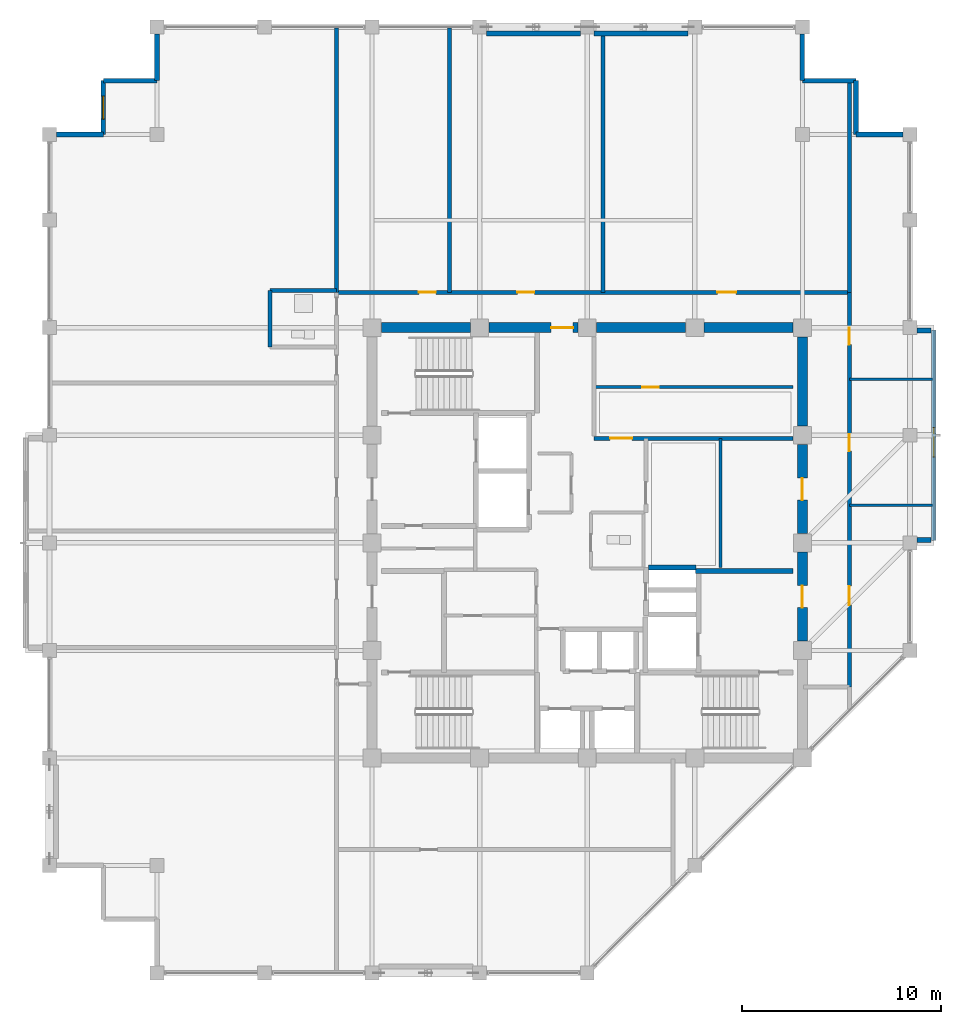
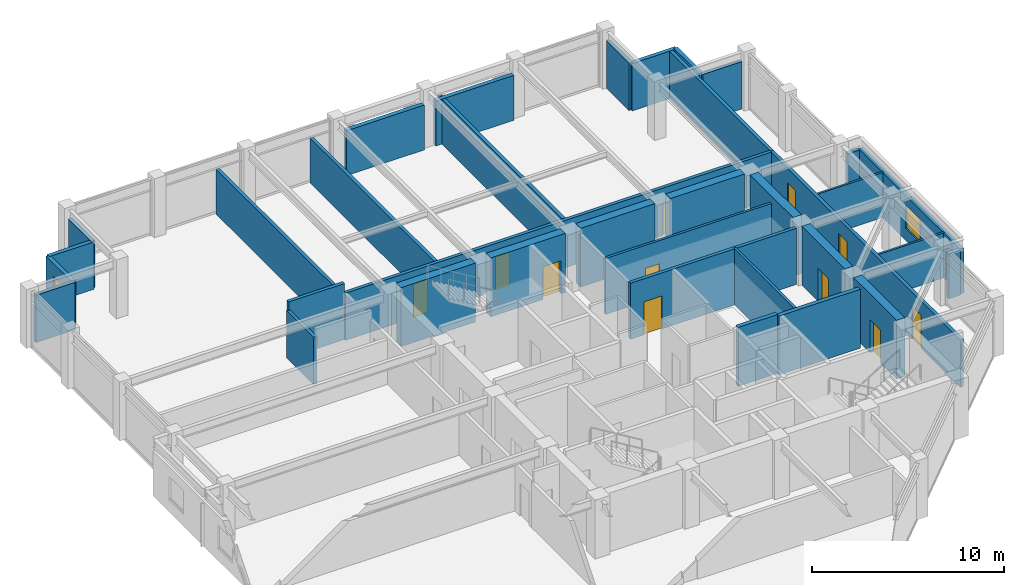
# One storey, part 25 of 29: 35 walls, 11 doors, 2 windows, 13 openings.
"""IFC4 building model written with IfcOpenShell, lengths in metres."""

from ifc_helpers import new_model, si_unit, direction, frame, frame_2d, origin, place, context, subcontext, project, spatial, rectangle, extrude, material, layer, layer_set, type_object, element, fill, save


model = new_model("IFC4")

# Units and contexts
model_context = context("Model", 3, precision=1e-05, world=origin(), true_north=direction((0.0, 1.0)))
body_context = subcontext(model_context, "Body", "Model", "MODEL_VIEW")
ifc_project = project(units=[si_unit("LENGTHUNIT", "METRE"), si_unit("AREAUNIT", "SQUARE_METRE"), si_unit("VOLUMEUNIT", "CUBIC_METRE"), si_unit("PLANEANGLEUNIT", "RADIAN"), si_unit("MASSUNIT", "GRAM", prefix="KILO")], contexts=[model_context])

# Site, building, storey
site_placement = place(None, origin())
site = spatial("IfcSite", under=ifc_project, at=site_placement, CompositionType="ELEMENT")
building_placement = place(site_placement, origin())
building = spatial("IfcBuilding", under=site, at=building_placement, Name="Surkhivell Harbour Commons", CompositionType="ELEMENT")
storey_placement = place(building_placement, frame((0.0, 0.0, 273.75)))
storey = spatial("IfcBuildingStorey", under=building, at=storey_placement, Name="L71", CompositionType="ELEMENT", Elevation=273.75)

# Wall
ifc_material_1 = material(Name="Concrete C50/60", Category="concrete")
ifc_layer_1 = layer(ifc_material_1, 0.5)
ifc_layer_set_1 = layer_set([ifc_layer_1], Name="Concrete C50/60")
wall_type_1 = type_object("IfcWallType", Name="WAL-CORE-500", PredefinedType="SHEAR", material=ifc_layer_set_1)
wall_1_placement = place(storey_placement, frame((-10.340087890625, 10.800048828125, 0.0), z_axis=(0.0, 0.0, 1.0), x_axis=(1.0, 0.0, 0.0)))
element("IfcWall", 1, at=wall_1_placement, inside=storey, type_object=wall_type_1, Name="L71 Core Shear Wall North 1", PredefinedType="SHEAR", context=body_context, shape_type="SweptSolid", body=[
    extrude(rectangle(XDim=4.47998046875, YDim=0.5, at=frame_2d((2.239990234375, 0.0))), origin(), (0.0, 0.0, 1.0), 3.75),
])

# Wall, opening, door
wall_2_placement = place(storey_placement, frame((-4.93994140625, 10.800048828125, 0.0), z_axis=(0.0, 0.0, 1.0), x_axis=(1.0, 0.0, 0.0)))
wall_2 = element("IfcWall", 2, at=wall_2_placement, inside=storey, type_object=wall_type_1, Name="L71 Core Shear Wall North 2", PredefinedType="SHEAR", context=body_context, shape_type="SweptSolid", body=[
    extrude(rectangle(XDim=4.47998046875, YDim=0.5, at=frame_2d((2.239990234375, 0.0))), origin(), (0.0, 0.0, 1.0), 3.75),
])
opening_1_placement = place(wall_2_placement, frame((3.1298828125, 0.0, 0.0)))
opening_1 = element("IfcOpeningElement", 3, at=opening_1_placement, cuts=wall_2, Name="Opening ID-2", PredefinedType="OPENING", context=body_context, shape_type="SweptSolid", body=[
    extrude(rectangle(XDim=1.10009765625, YDim=2.10009765625, at=frame_2d((0.550048828125, 1.050048828125))), frame((0.0, 0.260009765625, 0.0), z_axis=(0.0, -1.0, 0.0), x_axis=(1.0, 0.0, 0.0)), (0.0, 0.0, 1.0), 0.52001953125),
])
ifc_material_2 = material(Name="Hardwood-veneered fire-rated door leaf", Category="wood")
door_type_1 = type_object("IfcDoorType", Name="DOR-FD60-1100", OperationType="NOTDEFINED", PredefinedType="DOOR", material=ifc_material_2)
door_1_placement = place(opening_1_placement, origin())
door_1 = element("IfcDoor", 4, at=door_1_placement, inside=storey, type_object=door_type_1, Name="L71 Central Core Lift Hall North Corridor Door", OperationType="SINGLE_SWING_LEFT", OverallHeight=2.10009765625, OverallWidth=1.10009765625, PredefinedType="DOOR", context=body_context, shape_type="SweptSolid", body=[
    extrude(rectangle(XDim=1.10009765625, YDim=2.10009765625, at=frame_2d((0.550048828125, 1.050048828125))), frame((0.0, 0.02490234375, 0.0), z_axis=(0.0, -1.0, 0.0), x_axis=(1.0, 0.0, 0.0)), (0.0, 0.0, 1.0), 0.050048828125),
])
fill(opening_1, door_1)

wall_3_placement = place(storey_placement, frame((10.800048828125, -4.93994140625, 0.0), z_axis=(0.0, 0.0, 1.0), x_axis=(0.0, 1.0, 0.0)))
wall_3 = element("IfcWall", 5, at=wall_3_placement, inside=storey, type_object=wall_type_1, Name="L71 Core Shear Wall East 2", PredefinedType="SHEAR", context=body_context, shape_type="SweptSolid", body=[
    extrude(rectangle(XDim=4.47998046875, YDim=0.5, at=frame_2d((2.239990234375, 0.0))), origin(), (0.0, 0.0, 1.0), 3.75),
])
opening_2_placement = place(wall_3_placement, frame((1.68994140625, 0.0, 0.0)))
opening_2 = element("IfcOpeningElement", 6, at=opening_2_placement, cuts=wall_3, Name="Opening ID-1", PredefinedType="OPENING", context=body_context, shape_type="SweptSolid", body=[
    extrude(rectangle(XDim=1.10009765625, YDim=2.10009765625, at=frame_2d((0.550048828125, 1.050048828125))), frame((0.0, 0.260009765625, 0.0), z_axis=(0.0, -1.0, 0.0), x_axis=(1.0, 0.0, 0.0)), (0.0, 0.0, 1.0), 0.52001953125),
])
door_type_2 = type_object("IfcDoorType", Name="DOR-FD120-1100", OperationType="NOTDEFINED", PredefinedType="DOOR", material=ifc_material_2)
door_2_placement = place(opening_2_placement, origin())
door_2 = element("IfcDoor", 7, at=door_2_placement, inside=storey, type_object=door_type_2, Name="L71 Firefighting Lobby 2 Corridor Door", OperationType="SINGLE_SWING_RIGHT", OverallHeight=2.10009765625, OverallWidth=1.10009765625, PredefinedType="DOOR", context=body_context, shape_type="SweptSolid", body=[
    extrude(rectangle(XDim=1.10009765625, YDim=2.10009765625, at=frame_2d((0.550048828125, 1.050048828125))), frame((0.0, 0.02490234375, 0.0), z_axis=(0.0, -1.0, 0.0), x_axis=(1.0, 0.0, 0.0)), (0.0, 0.0, 1.0), 0.050048828125),
])
fill(opening_2, door_2)

# Wall
wall_4_placement = place(storey_placement, frame((0.4599609375, 10.800048828125, 0.0), z_axis=(0.0, 0.0, 1.0), x_axis=(1.0, 0.0, 0.0)))
element("IfcWall", 8, at=wall_4_placement, inside=storey, type_object=wall_type_1, Name="L71 Core Shear Wall North 3", PredefinedType="SHEAR", context=body_context, shape_type="SweptSolid", body=[
    extrude(rectangle(XDim=4.47998046875, YDim=0.5, at=frame_2d((2.239990234375, 0.0))), origin(), (0.0, 0.0, 1.0), 3.75),
])

# Wall, opening, door
wall_5_placement = place(storey_placement, frame((10.800048828125, 0.4599609375, 0.0), z_axis=(0.0, 0.0, 1.0), x_axis=(0.0, 1.0, 0.0)))
wall_5 = element("IfcWall", 9, at=wall_5_placement, inside=storey, type_object=wall_type_1, Name="L71 Core Shear Wall East 3", PredefinedType="SHEAR", context=body_context, shape_type="SweptSolid", body=[
    extrude(rectangle(XDim=4.47998046875, YDim=0.5, at=frame_2d((2.239990234375, 0.0))), origin(), (0.0, 0.0, 1.0), 3.75),
])
opening_3_placement = place(wall_5_placement, frame((1.68994140625, 0.0, 0.0)))
opening_3 = element("IfcOpeningElement", 10, at=opening_3_placement, cuts=wall_5, Name="Opening ID-2", PredefinedType="OPENING", context=body_context, shape_type="SweptSolid", body=[
    extrude(rectangle(XDim=1.10009765625, YDim=2.10009765625, at=frame_2d((0.550048828125, 1.050048828125))), frame((0.0, 0.260009765625, 0.0), z_axis=(0.0, -1.0, 0.0), x_axis=(1.0, 0.0, 0.0)), (0.0, 0.0, 1.0), 0.52001953125),
])
door_3_placement = place(opening_3_placement, origin())
door_3 = element("IfcDoor", 11, at=door_3_placement, inside=storey, type_object=door_type_1, Name="L71 Core Seminar East Door", OperationType="SINGLE_SWING_RIGHT", OverallHeight=2.10009765625, OverallWidth=1.10009765625, PredefinedType="DOOR", context=body_context, shape_type="SweptSolid", body=[
    extrude(rectangle(XDim=1.10009765625, YDim=2.10009765625, at=frame_2d((0.550048828125, 1.050048828125))), frame((0.0, 0.02490234375, 0.0), z_axis=(0.0, -1.0, 0.0), x_axis=(1.0, 0.0, 0.0)), (0.0, 0.0, 1.0), 0.050048828125),
])
fill(opening_3, door_3)

# Walls
for number, where, z_axis, x_axis, name in (
    (12, (5.860107421875, 10.800048828125, 0.0), (0.0, 0.0, 1.0), (1.0, 0.0, 0.0), "L71 Core Shear Wall North 4"),
    (13, (10.800048828125, 5.860107421875, 0.0), (0.0, 0.0, 1.0), (0.0, 1.0, 0.0), "L71 Core Shear Wall East 4"),
):
    element("IfcWall", number, at=place(storey_placement, frame(where, z_axis=z_axis, x_axis=x_axis)), inside=storey, type_object=wall_type_1, Name=name, PredefinedType="SHEAR", context=body_context, shape_type="SweptSolid", body=[
        extrude(rectangle(XDim=4.47998046875, YDim=0.5, at=frame_2d((2.239990234375, 0.0))), origin(), (0.0, 0.0, 1.0), 3.75),
    ])
ifc_material_3 = material(Name="Pale-metal insulated precast concrete C45/55", Category="concrete")
ifc_layer_2 = layer(ifc_material_3, 0.260009765625)
ifc_layer_set_2 = layer_set([ifc_layer_2], Name="Pale-metal insulated precast concrete C45/55")
wall_type_2 = type_object("IfcWallType", Name="WAL-EXT-MTL260", PredefinedType="STANDARD", material=ifc_layer_set_2)
for number, where, z_axis, x_axis, name in (
    (14, (-0.347900390625, 25.56494140625, 0.0), (0.0, 0.0, 1.0), (-1.0, 0.0, 0.0), "L71 Braced-Bay Insulated Spandrel Backing N"),
    (15, (5.052001953125, 25.56494140625, 0.0), (0.0, 0.0, 1.0), (-1.0, 0.0, 0.0), "L71 Braced-Bay Insulated Spandrel Backing N2"),
):
    element("IfcWall", number, at=place(storey_placement, frame(where, z_axis=z_axis, x_axis=x_axis)), inside=storey, type_object=wall_type_2, Name=name, PredefinedType="STANDARD", context=body_context, shape_type="SweptSolid", body=[
        extrude(rectangle(XDim=4.7041015625, YDim=0.260009765625, at=frame_2d((2.35205078125, 0.0))), origin(), (0.0, 0.0, 1.0), 2.85693359375),
    ])

# Wall, opening, window
ifc_material_4 = material(Name="Bronze-ochre cassette precast concrete C45/55", Category="concrete")
ifc_layer_3 = layer(ifc_material_4, 0.239990234375)
ifc_layer_set_3 = layer_set([ifc_layer_3], Name="Bronze-ochre cassette precast concrete C45/55")
wall_type_3 = type_object("IfcWallType", Name="WAL-EXT-OCH240", PredefinedType="STANDARD", material=ifc_layer_set_3)
wall_6_placement = place(storey_placement, frame((17.39990234375, 0.1201171875, 0.0), z_axis=(0.0, 0.0, 1.0), x_axis=(0.0, 1.0, 0.0)))
wall_6 = element("IfcWall", 16, at=wall_6_placement, inside=storey, type_object=wall_type_3, Name="L71 Coloured Box Front Wall 01", PredefinedType="STANDARD", context=body_context, shape_type="SweptSolid", body=[
    extrude(rectangle(XDim=10.559814453125, YDim=0.239990234375, at=frame_2d((5.27978515625, 0.0))), origin(), (0.0, 0.0, 1.0), 2.85693359375),
])
opening_4_placement = place(wall_6_placement, frame((4.179931640625, 0.0, 0.75)))
opening_4 = element("IfcOpeningElement", 17, at=opening_4_placement, cuts=wall_6, Name="Opening WN-13", PredefinedType="OPENING", context=body_context, shape_type="SweptSolid", body=[
    extrude(rectangle(XDim=1.5, YDim=1.5, at=frame_2d((0.75, 0.75))), frame((0.0, 0.1298828125, 0.0), z_axis=(0.0, -1.0, 0.0), x_axis=(1.0, 0.0, 0.0)), (0.0, 0.0, 1.0), 0.260009765625),
])
ifc_material_5 = material(Name="Thermal-break aluminium frame and double low-E glazing", Category="aluminium")
window_type_1 = type_object("IfcWindowType", Name="WIN-BOX-1500x1500", PartitioningType="SINGLE_PANEL", PredefinedType="WINDOW", material=ifc_material_5)
window_1_placement = place(opening_4_placement, origin())
window_1 = element("IfcWindow", 18, at=window_1_placement, inside=storey, type_object=window_type_1, Name="L71 Coloured Box Square Window 01-1", OverallHeight=1.5, OverallWidth=1.5, PartitioningType="SINGLE_PANEL", PredefinedType="WINDOW", context=body_context, shape_type="SweptSolid", body=[
    extrude(rectangle(XDim=1.5, YDim=1.5, at=frame_2d((0.75, 0.75))), frame((0.0, 0.030029296875, 0.0), z_axis=(0.0, -1.0, 0.0), x_axis=(1.0, 0.0, 0.0)), (0.0, 0.0, 1.0), 0.06005859375),
])
fill(opening_4, window_1)

# Walls
for number, where, z_axis, x_axis, name in (
    (19, (16.553955078125, 0.139892578125, 0.0), (0.0, 0.0, 1.0), (1.0, 0.0, 0.0), "L71 Coloured Box Return Wall 01S"),
    (20, (16.553955078125, 10.659912109375, 0.0), (0.0, 0.0, 1.0), (1.0, 0.0, 0.0), "L71 Coloured Box Return Wall 01N"),
):
    element("IfcWall", number, at=place(storey_placement, frame(where, z_axis=z_axis, x_axis=x_axis)), inside=storey, type_object=wall_type_3, Name=name, PredefinedType="STANDARD", context=body_context, shape_type="SweptSolid", body=[
        extrude(rectangle(XDim=0.7060546875, YDim=0.239990234375, at=frame_2d((0.35302734375, 0.0))), origin(), (0.0, 0.0, 1.0), 2.85693359375),
    ])
wall_7_placement = place(storey_placement, frame((15.85205078125, 20.5, 0.0), z_axis=(0.0, 0.0, 1.0), x_axis=(-1.0, 0.0, 0.0)))
element("IfcWall", 21, at=wall_7_placement, inside=storey, type_object=wall_type_3, Name="L71 Serrated Corner Facade Wall 03", PredefinedType="STANDARD", context=body_context, shape_type="SweptSolid", body=[
    extrude(rectangle(XDim=2.35205078125, YDim=0.239990234375, at=frame_2d((1.176025390625, 0.0))), origin(), (0.0, 0.0, 1.0), 3.012939453125),
])
for number, where, z_axis, x_axis, name in (
    (22, (13.5, 20.5, 0.0), (0.0, 0.0, 1.0), (0.0, 1.0, 0.0), "L71 Serrated Corner Facade Wall 04"),
    (23, (13.5, 23.199951171875, 0.0), (0.0, 0.0, 1.0), (-1.0, 0.0, 0.0), "L71 Serrated Corner Facade Wall 05"),
):
    element("IfcWall", number, at=place(storey_placement, frame(where, z_axis=z_axis, x_axis=x_axis)), inside=storey, type_object=wall_type_3, Name=name, PredefinedType="STANDARD", context=body_context, shape_type="SweptSolid", body=[
        extrude(rectangle(XDim=2.699951171875, YDim=0.239990234375, at=frame_2d((1.35009765625, 0.0))), origin(), (0.0, 0.0, 1.0), 3.012939453125),
    ])
for number, where, z_axis, x_axis, name in (
    (24, (10.800048828125, 23.199951171875, 0.0), (0.0, 0.0, 1.0), (0.0, 1.0, 0.0), "L71 Serrated Corner Facade Wall 06"),
    (25, (-21.60009765625, 25.552001953125, 0.0), (0.0, 0.0, 1.0), (0.0, -1.0, 0.0), "L71 Serrated Corner Facade Wall 08"),
):
    element("IfcWall", number, at=place(storey_placement, frame(where, z_axis=z_axis, x_axis=x_axis)), inside=storey, type_object=wall_type_3, Name=name, PredefinedType="STANDARD", context=body_context, shape_type="SweptSolid", body=[
        extrude(rectangle(XDim=2.35205078125, YDim=0.239990234375, at=frame_2d((1.176025390625, 0.0))), origin(), (0.0, 0.0, 1.0), 3.012939453125),
    ])
wall_8_placement = place(storey_placement, frame((-21.60009765625, 23.199951171875, 0.0), z_axis=(0.0, 0.0, 1.0), x_axis=(-1.0, 0.0, 0.0)))
element("IfcWall", 26, at=wall_8_placement, inside=storey, type_object=wall_type_3, Name="L71 Serrated Corner Facade Wall 09", PredefinedType="STANDARD", context=body_context, shape_type="SweptSolid", body=[
    extrude(rectangle(XDim=2.699951171875, YDim=0.239990234375, at=frame_2d((1.35009765625, 0.0))), origin(), (0.0, 0.0, 1.0), 3.012939453125),
])

# Wall, opening, window
wall_9_placement = place(storey_placement, frame((-24.300048828125, 23.199951171875, 0.0), z_axis=(0.0, 0.0, 1.0), x_axis=(0.0, -1.0, 0.0)))
wall_9 = element("IfcWall", 27, at=wall_9_placement, inside=storey, type_object=wall_type_3, Name="L71 Serrated Corner Facade Wall 10", PredefinedType="STANDARD", context=body_context, shape_type="SweptSolid", body=[
    extrude(rectangle(XDim=2.699951171875, YDim=0.239990234375, at=frame_2d((1.35009765625, 0.0))), origin(), (0.0, 0.0, 1.0), 3.012939453125),
])
opening_5_placement = place(wall_9_placement, frame((0.77490234375, 0.0, 0.64990234375)))
opening_5 = element("IfcOpeningElement", 28, at=opening_5_placement, cuts=wall_9, Name="Opening WN-10", PredefinedType="OPENING", context=body_context, shape_type="SweptSolid", body=[
    extrude(rectangle(XDim=1.14990234375, YDim=1.550048828125, at=frame_2d((0.574951171875, 0.77490234375))), frame((0.0, 0.1298828125, 0.0), z_axis=(0.0, -1.0, 0.0), x_axis=(1.0, 0.0, 0.0)), (0.0, 0.0, 1.0), 0.260009765625),
])
window_type_2 = type_object("IfcWindowType", Name="WIN-SER-1150x1550", PartitioningType="SINGLE_PANEL", PredefinedType="WINDOW", material=ifc_material_5)
window_2_placement = place(opening_5_placement, origin())
window_2 = element("IfcWindow", 29, at=window_2_placement, inside=storey, type_object=window_type_2, Name="L71 Serrated Alcove Window 10", OverallHeight=1.550048828125, OverallWidth=1.14990234375, PartitioningType="SINGLE_PANEL", PredefinedType="WINDOW", context=body_context, shape_type="SweptSolid", body=[
    extrude(rectangle(XDim=1.14990234375, YDim=1.550048828125, at=frame_2d((0.574951171875, 0.77490234375))), frame((0.0, 0.030029296875, 0.0), z_axis=(0.0, -1.0, 0.0), x_axis=(1.0, 0.0, 0.0)), (0.0, 0.0, 1.0), 0.06005859375),
])
fill(opening_5, window_2)

# Walls
wall_10_placement = place(storey_placement, frame((-24.300048828125, 20.5, 0.0), z_axis=(0.0, 0.0, 1.0), x_axis=(-1.0, 0.0, 0.0)))
element("IfcWall", 30, at=wall_10_placement, inside=storey, type_object=wall_type_3, Name="L71 Serrated Corner Facade Wall 11", PredefinedType="STANDARD", context=body_context, shape_type="SweptSolid", body=[
    extrude(rectangle(XDim=2.35205078125, YDim=0.239990234375, at=frame_2d((1.176025390625, 0.0))), origin(), (0.0, 0.0, 1.0), 3.012939453125),
])
ifc_material_6 = material(Name="Moisture-resistant acoustic stud partition", Category="other")
ifc_layer_4 = layer(ifc_material_6, 0.125)
ifc_layer_set_4 = layer_set([ifc_layer_4], Name="Moisture-resistant acoustic stud partition")
wall_type_4 = type_object("IfcWallType", Name="WAL-INT-125", PredefinedType="PARTITIONING", material=ifc_layer_set_4)
for number, where, z_axis, x_axis, name in (
    (31, (13.159912109375, 1.8798828125, 0.0), (0.0, 0.0, 1.0), (1.0, 0.0, 0.0), "L71 East Partition P1"),
    (32, (13.159912109375, 8.219970703125, 0.0), (0.0, 0.0, 1.0), (1.0, 0.0, 0.0), "L71 East Partition P2"),
):
    element("IfcWall", number, at=place(storey_placement, frame(where, z_axis=z_axis, x_axis=x_axis)), inside=storey, type_object=wall_type_4, Name=name, PredefinedType="PARTITIONING", context=body_context, shape_type="SweptSolid", body=[
        extrude(rectangle(XDim=4.18017578125, YDim=0.125, at=frame_2d((2.090087890625, 0.0))), origin(), (0.0, 0.0, 1.0), 2.85693359375),
    ])

# Wall, opening, door
ifc_material_7 = material(Name="Twin-stud acoustic fireboard partition", Category="other")
ifc_layer_5 = layer(ifc_material_7, 0.14990234375)
ifc_layer_set_5 = layer_set([ifc_layer_5], Name="Twin-stud acoustic fireboard partition")
wall_type_5 = type_object("IfcWallType", Name="WAL-INT-150", PredefinedType="PARTITIONING", material=ifc_layer_set_5)
wall_11_placement = place(storey_placement, frame((0.35009765625, 7.820068359375, 0.0), z_axis=(0.0, 0.0, 1.0), x_axis=(1.0, 0.0, 0.0)))
wall_11 = element("IfcWall", 33, at=wall_11_placement, inside=storey, type_object=wall_type_5, Name="L71 Core Archive Partition", PredefinedType="PARTITIONING", context=body_context, shape_type="SweptSolid", body=[
    extrude(rectangle(XDim=9.989990234375, YDim=0.14990234375, at=frame_2d((4.9951171875, 0.0))), origin(), (0.0, 0.0, 1.0), 3.570068359375),
])
opening_6_placement = place(wall_11_placement, frame((2.39990234375, 0.0, 0.0)))
opening_6 = element("IfcOpeningElement", 34, at=opening_6_placement, cuts=wall_11, Name="Opening ID-6", PredefinedType="OPENING", context=body_context, shape_type="SweptSolid", body=[
    extrude(rectangle(XDim=0.85009765625, YDim=2.10009765625, at=frame_2d((0.425048828125, 1.050048828125))), frame((0.0, 0.0849609375, 0.0), z_axis=(0.0, -1.0, 0.0), x_axis=(1.0, 0.0, 0.0)), (0.0, 0.0, 1.0), 0.169921875),
])
door_type_3 = type_object("IfcDoorType", Name="DOR-FD30-850", OperationType="NOTDEFINED", PredefinedType="DOOR", material=ifc_material_2)
door_4_placement = place(opening_6_placement, origin())
door_4 = element("IfcDoor", 35, at=door_4_placement, inside=storey, type_object=door_type_3, Name="L71 Archive Room Door", OperationType="SINGLE_SWING_LEFT", OverallHeight=2.10009765625, OverallWidth=0.85009765625, PredefinedType="DOOR", context=body_context, shape_type="SweptSolid", body=[
    extrude(rectangle(XDim=0.85009765625, YDim=2.10009765625, at=frame_2d((0.425048828125, 1.050048828125))), frame((0.0, 0.02490234375, 0.0), z_axis=(0.0, -1.0, 0.0), x_axis=(1.0, 0.0, 0.0)), (0.0, 0.0, 1.0), 0.050048828125),
])
fill(opening_6, door_4)

# Wall
wall_12_placement = place(storey_placement, frame((6.679931640625, -1.25, 0.0), z_axis=(0.0, 0.0, 1.0), x_axis=(0.0, 1.0, 0.0)))
element("IfcWall", 36, at=wall_12_placement, inside=storey, type_object=wall_type_5, Name="L71 Seminar Room Wall", PredefinedType="PARTITIONING", context=body_context, shape_type="SweptSolid", body=[
    extrude(rectangle(XDim=6.489990234375, YDim=0.14990234375, at=frame_2d((3.2451171875, 0.0))), origin(), (0.0, 0.0, 1.0), 3.570068359375),
])

# Wall, opening, door
ifc_material_8 = material(Name="Autoclaved aerated concrete blockwork and fire plaster", Category="masonry")
ifc_layer_6 = layer(ifc_material_8, 0.199951171875)
ifc_layer_set_6 = layer_set([ifc_layer_6], Name="Autoclaved aerated concrete blockwork and fire plaster")
wall_type_6 = type_object("IfcWallType", Name="WAL-INT-200", PredefinedType="PARTITIONING", material=ifc_layer_set_6)
wall_13_placement = place(storey_placement, frame((0.35009765625, 5.239990234375, 0.0), z_axis=(0.0, 0.0, 1.0), x_axis=(1.0, 0.0, 0.0)))
wall_13 = element("IfcWall", 37, at=wall_13_placement, inside=storey, type_object=wall_type_6, Name="L71 Reclaimed Core North Bay South Wall", PredefinedType="PARTITIONING", context=body_context, shape_type="SweptSolid", body=[
    extrude(rectangle(XDim=9.989990234375, YDim=0.199951171875, at=frame_2d((4.9951171875, 0.0))), origin(), (0.0, 0.0, 1.0), 3.570068359375),
])
opening_7_placement = place(wall_13_placement, frame((0.800048828125, 0.0, 0.0)))
opening_7 = element("IfcOpeningElement", 38, at=opening_7_placement, cuts=wall_13, Name="Opening ID-2", PredefinedType="OPENING", context=body_context, shape_type="SweptSolid", body=[
    extrude(rectangle(XDim=1.10009765625, YDim=2.10009765625, at=frame_2d((0.550048828125, 1.050048828125))), frame((0.0, 0.10986328125, 0.0), z_axis=(0.0, -1.0, 0.0), x_axis=(1.0, 0.0, 0.0)), (0.0, 0.0, 1.0), 0.219970703125),
])
door_5_placement = place(opening_7_placement, origin())
door_5 = element("IfcDoor", 39, at=door_5_placement, inside=storey, type_object=door_type_1, Name="L71 Study Alcove Door", OperationType="SINGLE_SWING_RIGHT", OverallHeight=2.10009765625, OverallWidth=1.10009765625, PredefinedType="DOOR", context=body_context, shape_type="SweptSolid", body=[
    extrude(rectangle(XDim=1.10009765625, YDim=2.10009765625, at=frame_2d((0.550048828125, 1.050048828125))), frame((0.0, 0.02490234375, 0.0), z_axis=(0.0, -1.0, 0.0), x_axis=(1.0, 0.0, 0.0)), (0.0, 0.0, 1.0), 0.050048828125),
])
fill(opening_7, door_5)

# Walls
wall_14_placement = place(storey_placement, frame((13.159912109375, 12.580078125, 0.0), z_axis=(0.0, 0.0, 1.0), x_axis=(0.0, 1.0, 0.0)))
element("IfcWall", 40, at=wall_14_placement, inside=storey, type_object=wall_type_6, Name="L71 North-East Corner Wall", PredefinedType="PARTITIONING", context=body_context, shape_type="SweptSolid", body=[
    extrude(rectangle(XDim=10.559814453125, YDim=0.199951171875, at=frame_2d((5.27978515625, 0.0))), origin(), (0.0, 0.0, 1.0), 3.012939453125),
])
wall_15_placement = place(storey_placement, frame((-12.580078125, 12.580078125, 0.0), z_axis=(0.0, 0.0, 1.0), x_axis=(0.0, 1.0, 0.0)))
element("IfcWall", 41, at=wall_15_placement, inside=storey, type_object=wall_type_6, Name="L71 North-West Corner Wall", PredefinedType="PARTITIONING", context=body_context, shape_type="SweptSolid", body=[
    extrude(rectangle(XDim=13.260009765625, YDim=0.199951171875, at=frame_2d((6.6298828125, 0.0))), origin(), (0.0, 0.0, 1.0), 2.85693359375),
])

# Wall, openings, doors
wall_16_placement = place(storey_placement, frame((13.159912109375, -7.239990234375, 0.0), z_axis=(0.0, 0.0, 1.0), x_axis=(0.0, 1.0, 0.0)))
wall_16 = element("IfcWall", 42, at=wall_16_placement, inside=storey, type_object=wall_type_6, Name="L71 East Corridor Wall", PredefinedType="PARTITIONING", context=body_context, shape_type="SweptSolid", body=[
    extrude(rectangle(XDim=19.820068359375, YDim=0.199951171875, at=frame_2d((9.91015625, 0.0))), origin(), (0.0, 0.0, 1.0), 3.012939453125),
])
opening_8_placement = place(wall_16_placement, frame((4.110107421875, 0.0, 0.0)))
opening_8 = element("IfcOpeningElement", 43, at=opening_8_placement, cuts=wall_16, Name="Opening ID-4", PredefinedType="OPENING", context=body_context, shape_type="SweptSolid", body=[
    extrude(rectangle(XDim=0.949951171875, YDim=2.10009765625, at=frame_2d((0.47509765625, 1.050048828125))), frame((0.0, 0.10986328125, 0.0), z_axis=(0.0, -1.0, 0.0), x_axis=(1.0, 0.0, 0.0)), (0.0, 0.0, 1.0), 0.219970703125),
])
opening_9_placement = place(wall_16_placement, frame((11.840087890625, 0.0, 0.0)))
opening_9 = element("IfcOpeningElement", 44, at=opening_9_placement, cuts=wall_16, Name="Opening ID-6", PredefinedType="OPENING", context=body_context, shape_type="SweptSolid", body=[
    extrude(rectangle(XDim=0.85009765625, YDim=2.10009765625, at=frame_2d((0.425048828125, 1.050048828125))), frame((0.0, 0.10986328125, 0.0), z_axis=(0.0, -1.0, 0.0), x_axis=(1.0, 0.0, 0.0)), (0.0, 0.0, 1.0), 0.219970703125),
])
opening_10_placement = place(wall_16_placement, frame((17.18994140625, 0.0, 0.0)))
opening_10 = element("IfcOpeningElement", 45, at=opening_10_placement, cuts=wall_16, Name="Opening ID-6", PredefinedType="OPENING", context=body_context, shape_type="SweptSolid", body=[
    extrude(rectangle(XDim=0.85009765625, YDim=2.10009765625, at=frame_2d((0.425048828125, 1.050048828125))), frame((0.0, 0.10986328125, 0.0), z_axis=(0.0, -1.0, 0.0), x_axis=(1.0, 0.0, 0.0)), (0.0, 0.0, 1.0), 0.219970703125),
])
door_6_placement = place(opening_9_placement, origin())
door_6 = element("IfcDoor", 46, at=door_6_placement, inside=storey, type_object=door_type_3, Name="L71 Resident Social Lounge 2 East Door", OperationType="SINGLE_SWING_LEFT", OverallHeight=2.10009765625, OverallWidth=0.85009765625, PredefinedType="DOOR", context=body_context, shape_type="SweptSolid", body=[
    extrude(rectangle(XDim=0.85009765625, YDim=2.10009765625, at=frame_2d((0.425048828125, 1.050048828125))), frame((0.0, 0.02490234375, 0.0), z_axis=(0.0, -1.0, 0.0), x_axis=(1.0, 0.0, 0.0)), (0.0, 0.0, 1.0), 0.050048828125),
])
fill(opening_9, door_6)
door_7_placement = place(opening_10_placement, origin())
door_7 = element("IfcDoor", 47, at=door_7_placement, inside=storey, type_object=door_type_3, Name="L71 Resident Social Lounge 3 East Door", OperationType="SINGLE_SWING_RIGHT", OverallHeight=2.10009765625, OverallWidth=0.85009765625, PredefinedType="DOOR", context=body_context, shape_type="SweptSolid", body=[
    extrude(rectangle(XDim=0.85009765625, YDim=2.10009765625, at=frame_2d((0.425048828125, 1.050048828125))), frame((0.0, 0.02490234375, 0.0), z_axis=(0.0, -1.0, 0.0), x_axis=(1.0, 0.0, 0.0)), (0.0, 0.0, 1.0), 0.050048828125),
])
fill(opening_10, door_7)
door_type_4 = type_object("IfcDoorType", Name="DOR-FD60-950", OperationType="NOTDEFINED", PredefinedType="DOOR", material=ifc_material_2)
door_8_placement = place(opening_8_placement, origin())
door_8 = element("IfcDoor", 48, at=door_8_placement, inside=storey, type_object=door_type_4, Name="L71 Resident Social Lounge 1 East Door", OperationType="SINGLE_SWING_RIGHT", OverallHeight=2.10009765625, OverallWidth=0.949951171875, PredefinedType="DOOR", context=body_context, shape_type="SweptSolid", body=[
    extrude(rectangle(XDim=0.949951171875, YDim=2.10009765625, at=frame_2d((0.47509765625, 1.050048828125))), frame((0.0, 0.02490234375, 0.0), z_axis=(0.0, -1.0, 0.0), x_axis=(1.0, 0.0, 0.0)), (0.0, 0.0, 1.0), 0.050048828125),
])
fill(opening_8, door_8)

wall_17_placement = place(storey_placement, frame((-12.580078125, 12.580078125, 0.0), z_axis=(0.0, 0.0, 1.0), x_axis=(1.0, 0.0, 0.0)))
wall_17 = element("IfcWall", 49, at=wall_17_placement, inside=storey, type_object=wall_type_6, Name="L71 North Corridor Wall", PredefinedType="PARTITIONING", context=body_context, shape_type="SweptSolid", body=[
    extrude(rectangle(XDim=25.739990234375, YDim=0.199951171875, at=frame_2d((12.8701171875, 0.0))), origin(), (0.0, 0.0, 1.0), 3.012939453125),
])
opening_11_placement = place(wall_17_placement, frame((4.125244140625, 0.0, 0.0)))
opening_11 = element("IfcOpeningElement", 50, at=opening_11_placement, cuts=wall_17, Name="Opening ID-6", PredefinedType="OPENING", context=body_context, shape_type="SweptSolid", body=[
    extrude(rectangle(XDim=0.85009765625, YDim=2.10009765625, at=frame_2d((0.425048828125, 1.050048828125))), frame((0.0, 0.10986328125, 0.0), z_axis=(0.0, -1.0, 0.0), x_axis=(1.0, 0.0, 0.0)), (0.0, 0.0, 1.0), 0.219970703125),
])
opening_12_placement = place(wall_17_placement, frame((9.070068359375, 0.0, 0.0)))
opening_12 = element("IfcOpeningElement", 51, at=opening_12_placement, cuts=wall_17, Name="Opening ID-6", PredefinedType="OPENING", context=body_context, shape_type="SweptSolid", body=[
    extrude(rectangle(XDim=0.85009765625, YDim=2.10009765625, at=frame_2d((0.425048828125, 1.050048828125))), frame((0.0, 0.10986328125, 0.0), z_axis=(0.0, -1.0, 0.0), x_axis=(1.0, 0.0, 0.0)), (0.0, 0.0, 1.0), 0.219970703125),
])
opening_13_placement = place(wall_17_placement, frame((19.110107421875, 0.0, 0.0)))
opening_13 = element("IfcOpeningElement", 52, at=opening_13_placement, cuts=wall_17, Name="Opening ID-4", PredefinedType="OPENING", context=body_context, shape_type="SweptSolid", body=[
    extrude(rectangle(XDim=0.949951171875, YDim=2.10009765625, at=frame_2d((0.47509765625, 1.050048828125))), frame((0.0, 0.10986328125, 0.0), z_axis=(0.0, -1.0, 0.0), x_axis=(1.0, 0.0, 0.0)), (0.0, 0.0, 1.0), 0.219970703125),
])
door_9_placement = place(opening_11_placement, origin())
door_9 = element("IfcDoor", 53, at=door_9_placement, inside=storey, type_object=door_type_3, Name="L71 Co-Working Study Office 1 North Door", OperationType="SINGLE_SWING_LEFT", OverallHeight=2.10009765625, OverallWidth=0.85009765625, PredefinedType="DOOR", context=body_context, shape_type="SweptSolid", body=[
    extrude(rectangle(XDim=0.85009765625, YDim=2.10009765625, at=frame_2d((0.425048828125, 1.050048828125))), frame((0.0, 0.02490234375, 0.0), z_axis=(0.0, -1.0, 0.0), x_axis=(1.0, 0.0, 0.0)), (0.0, 0.0, 1.0), 0.050048828125),
])
fill(opening_11, door_9)
door_10_placement = place(opening_12_placement, origin())
door_10 = element("IfcDoor", 54, at=door_10_placement, inside=storey, type_object=door_type_3, Name="L71 Co-Working Study Office 2 North Door", OperationType="SINGLE_SWING_RIGHT", OverallHeight=2.10009765625, OverallWidth=0.85009765625, PredefinedType="DOOR", context=body_context, shape_type="SweptSolid", body=[
    extrude(rectangle(XDim=0.85009765625, YDim=2.10009765625, at=frame_2d((0.425048828125, 1.050048828125))), frame((0.0, 0.02490234375, 0.0), z_axis=(0.0, -1.0, 0.0), x_axis=(1.0, 0.0, 0.0)), (0.0, 0.0, 1.0), 0.050048828125),
])
fill(opening_12, door_10)
door_11_placement = place(opening_13_placement, origin())
door_11 = element("IfcDoor", 55, at=door_11_placement, inside=storey, type_object=door_type_4, Name="L71 Co-Working Study Office 3 North Door", OperationType="SINGLE_SWING_LEFT", OverallHeight=2.10009765625, OverallWidth=0.949951171875, PredefinedType="DOOR", context=body_context, shape_type="SweptSolid", body=[
    extrude(rectangle(XDim=0.949951171875, YDim=2.10009765625, at=frame_2d((0.47509765625, 1.050048828125))), frame((0.0, 0.02490234375, 0.0), z_axis=(0.0, -1.0, 0.0), x_axis=(1.0, 0.0, 0.0)), (0.0, 0.0, 1.0), 0.050048828125),
])
fill(opening_13, door_11)

# Walls
for number, where, z_axis, x_axis, name in (
    (56, (-6.919921875, 12.580078125, 0.0), (0.0, 0.0, 1.0), (0.0, 1.0, 0.0), "L71 North Partition P1"),
    (57, (0.800048828125, 12.580078125, 0.0), (0.0, 0.0, 1.0), (0.0, 1.0, 0.0), "L71 North Partition P2"),
):
    element("IfcWall", number, at=place(storey_placement, frame(where, z_axis=z_axis, x_axis=x_axis)), inside=storey, type_object=wall_type_6, Name=name, PredefinedType="PARTITIONING", context=body_context, shape_type="SweptSolid", body=[
        extrude(rectangle(XDim=13.260009765625, YDim=0.199951171875, at=frame_2d((6.6298828125, 0.0))), origin(), (0.0, 0.0, 1.0), 2.85693359375),
    ])
wall_18_placement = place(storey_placement, frame((-15.929931640625, 9.830078125, 0.0), z_axis=(0.0, 0.0, 1.0), x_axis=(0.0, 1.0, 0.0)))
element("IfcWall", 58, at=wall_18_placement, inside=storey, type_object=wall_type_6, Name="L71 West Partition BTHB", PredefinedType="PARTITIONING", context=body_context, shape_type="SweptSolid", body=[
    extrude(rectangle(XDim=2.849853515625, YDim=0.199951171875, at=frame_2d((1.4248046875, 0.0))), origin(), (0.0, 0.0, 1.0), 3.012939453125),
])
wall_19_placement = place(storey_placement, frame((-15.929931640625, 12.679931640625, 0.0), z_axis=(0.0, 0.0, 1.0), x_axis=(1.0, 0.0, 0.0)))
element("IfcWall", 59, at=wall_19_placement, inside=storey, type_object=wall_type_6, Name="L71 West Partition BTHN", PredefinedType="PARTITIONING", context=body_context, shape_type="SweptSolid", body=[
    extrude(rectangle(XDim=3.349853515625, YDim=0.199951171875, at=frame_2d((1.6748046875, 0.0))), origin(), (0.0, 0.0, 1.0), 3.570068359375),
])
ifc_layer_7 = layer(ifc_material_1, 0.25)
ifc_layer_set_7 = layer_set([ifc_layer_7], Name="Concrete C50/60")
wall_type_7 = type_object("IfcWallType", Name="WAL-SHAFT-250", PredefinedType="SHEAR", material=ifc_layer_set_7)
wall_20_placement = place(storey_placement, frame((5.43994140625, -1.419921875, 0.0), z_axis=(0.0, 0.0, 1.0), x_axis=(1.0, 0.0, 0.0)))
element("IfcWall", 60, at=wall_20_placement, inside=storey, type_object=wall_type_7, Name="L71 Firefighting Lobby 2 North Wall", PredefinedType="SHEAR", context=body_context, shape_type="SweptSolid", body=[
    extrude(rectangle(XDim=4.900146484375, YDim=0.25, at=frame_2d((2.4501953125, 0.0))), origin(), (0.0, 0.0, 1.0), 3.75),
])
wall_21_placement = place(storey_placement, frame((3.080078125, -1.25, 0.0), z_axis=(0.0, 0.0, 1.0), x_axis=(1.0, 0.0, 0.0)))
element("IfcWall", 61, at=wall_21_placement, inside=storey, type_object=wall_type_7, Name="L71 Riser North Wall", PredefinedType="SHEAR", context=body_context, shape_type="SweptSolid", body=[
    extrude(rectangle(XDim=2.369873046875, YDim=0.25, at=frame_2d((1.18505859375, 0.0))), origin(), (0.0, 0.0, 1.0), 3.75),
])

save(model, "model.ifc")
